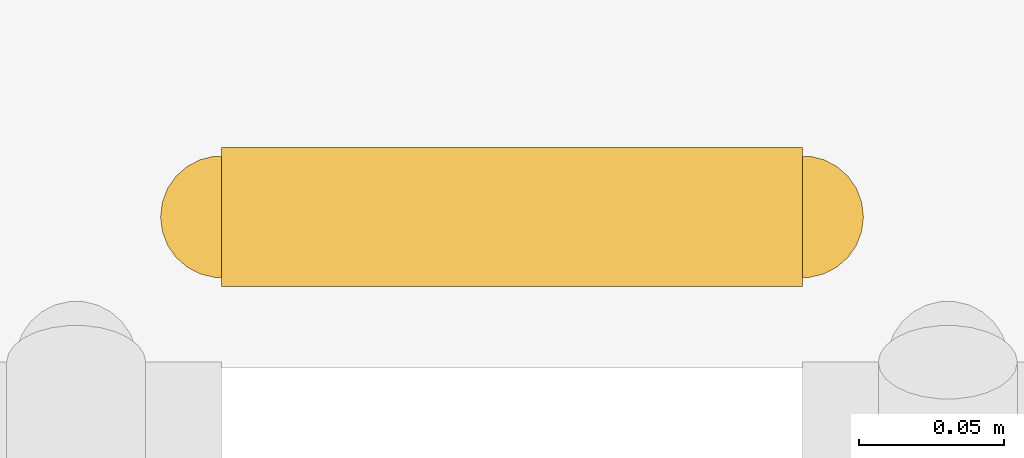
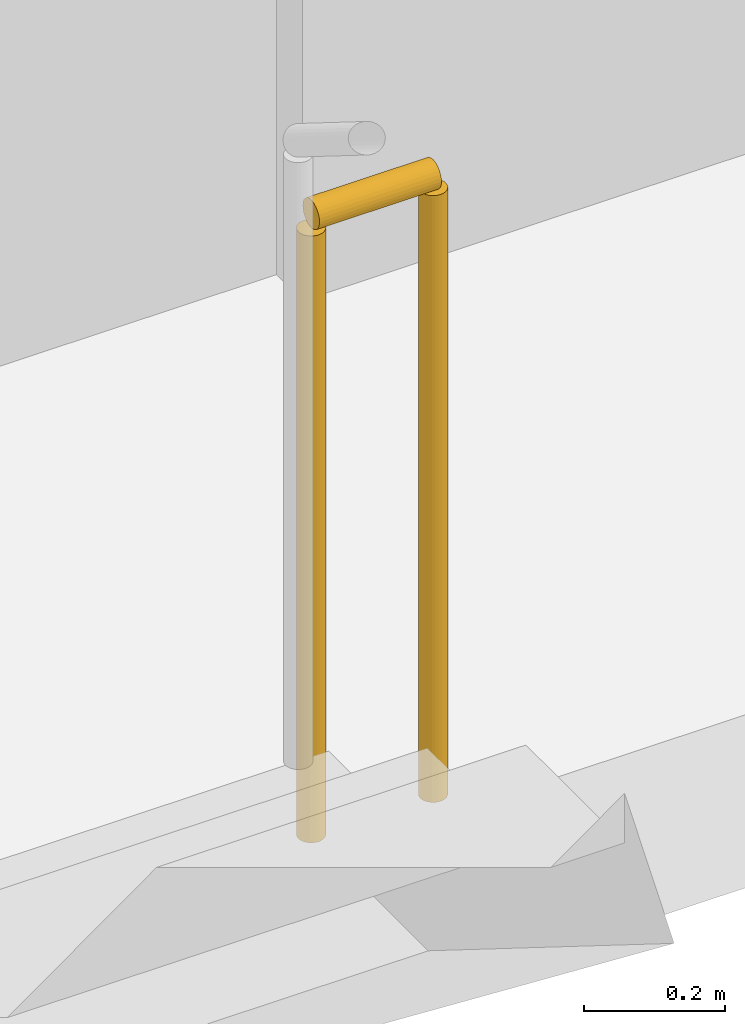
# One storey, part 21 of 21: 1 railing.
"""IFC4 building model written with IfcOpenShell, lengths in metres."""

from ifc_helpers import new_model, si_unit, direction, frame, origin, origin_2d, place, context, subcontext, project, spatial, circle, extrude, material, type_object, element, save


model = new_model("IFC4")

# Units and contexts
model_context = context("Model", 3, precision=1e-05, world=origin(), true_north=direction((0.0, 1.0)))
body_context = subcontext(model_context, "Body", "Model", "MODEL_VIEW")
ifc_project = project(units=[si_unit("LENGTHUNIT", "METRE"), si_unit("AREAUNIT", "SQUARE_METRE"), si_unit("VOLUMEUNIT", "CUBIC_METRE"), si_unit("PLANEANGLEUNIT", "RADIAN"), si_unit("MASSUNIT", "GRAM", prefix="KILO")], contexts=[model_context])

# Site, building, storey
site_placement = place(None, origin())
site = spatial("IfcSite", under=ifc_project, at=site_placement, CompositionType="ELEMENT")
building_placement = place(site_placement, origin())
building = spatial("IfcBuilding", under=site, at=building_placement, Name="Kiln Ring Residences", CompositionType="ELEMENT")
storey_placement = place(building_placement, frame((0.0, 0.0, 34.0)))
storey = spatial("IfcBuildingStorey", under=building, at=storey_placement, Name="L07", CompositionType="ELEMENT", Elevation=34.0)

# Railing
ifc_material = material(Name="Stainless steel", Category="steel")
railing_type = type_object("IfcRailingType", Name="CORE-STAIR-GUARD", PredefinedType="GUARDRAIL", material=ifc_material)
railing_placement = place(storey_placement, frame((22.0, 8.449951171875, 0.0)))
element("IfcRailing", 1, at=railing_placement, inside=storey, type_object=railing_type, Name="L07 E-STN stair guard 4", PredefinedType="GUARDRAIL", context=body_context, shape_type="SweptSolid", body=[
    extrude(circle(Radius=0.02392578125, at=origin_2d()), frame((0.0, 0.0, 1.076171875), z_axis=(1.0, 0.0, 0.0), x_axis=(0.0, 1.0, 0.0)), (0.0, 0.0, 1.0), 0.199951171875),
    extrude(circle(Radius=0.02099609375, at=origin_2d()), origin(), (0.0, 0.0, 1.0), 1.052001953125),
    extrude(circle(Radius=0.02099609375, at=origin_2d()), frame((0.199951171875, 0.0, 0.0)), (0.0, 0.0, 1.0), 1.052001953125),
])

save(model, "model.ifc")
